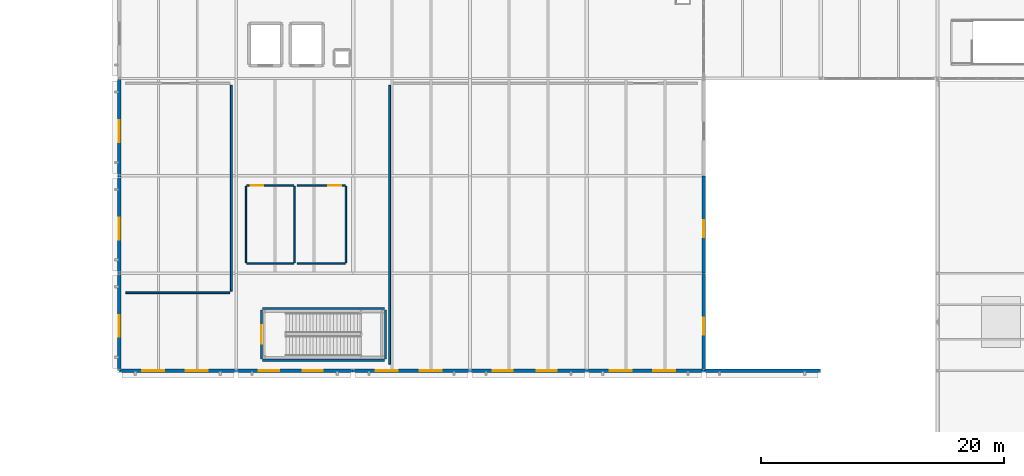
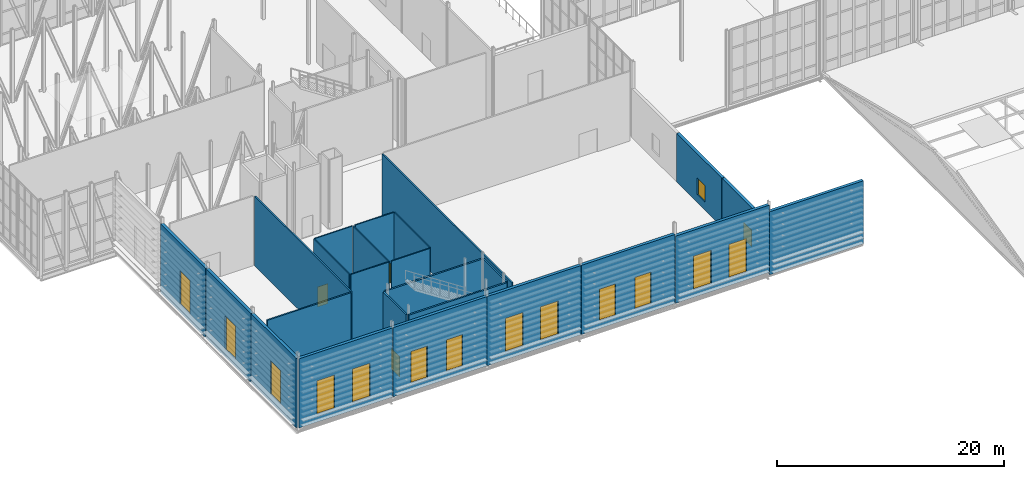
# One storey, part 64 of 73: 25 walls, 15 windows, 3 doors, 18 openings.
"""IFC4 building model written with IfcOpenShell, lengths in metres."""

import ifcopenshell
import ifcopenshell.guid

model = None  # the IFC model being written
_history = None  # IfcOwnerHistory: only IFC2X3 demands one
_inside = {}  # id of a spatial element -> (the spatial element, [elements in it])
_under = {}  # id of a project, library or spatial element -> (it, [spatial elements below it])
_declared = {}  # id of a project -> (the project, [libraries it declares])
_typed = {}  # id of a type object -> (the type object, [elements of that type])
_made_of = {}  # id of a material, layer set ... -> (it, [elements and type objects made of it])


def new_model(schema):
    """Start an empty IFC model of exactly this schema.

    Asked for "IFC4X3", IfcOpenShell would pick the latest addendum, in which some entities
    have other attributes; the version numbers below select the first issue.
    IFC2X3 requires an IfcOwnerHistory on every rooted entity: one is made here for all.
    """
    global model, _history
    if schema == "IFC4X3":
        model = ifcopenshell.file(schema_version=(4, 3, 0, 0))
    else:
        model = ifcopenshell.file(schema=schema)
    _inside.clear()
    _under.clear()
    _declared.clear()
    _typed.clear()
    _made_of.clear()
    _history = None
    if model.schema == "IFC2X3":
        org = make("IfcOrganization", Name="unknown")
        user = make(
            "IfcPersonAndOrganization",
            ThePerson=make("IfcPerson", FamilyName="unknown"),
            TheOrganization=org,
        )
        app = make(
            "IfcApplication",
            ApplicationDeveloper=org,
            Version="unknown",
            ApplicationFullName="unknown",
            ApplicationIdentifier="unknown",
        )
        _history = make(
            "IfcOwnerHistory",
            OwningUser=user,
            OwningApplication=app,
            ChangeAction="ADDED",
            CreationDate=0,
        )
    return model


def make(cls, **values):
    """One entity of the class cls with the attributes given. An attribute that is None is left unset."""
    return model.create_entity(
        cls, **{name: value for name, value in values.items() if value is not None}
    )


def rooted(cls, **values):
    """An entity with a GlobalId (a new one), such as an element, a storey or a relation."""
    return make(cls, GlobalId=ifcopenshell.guid.new(), OwnerHistory=_history, **values)


def si_unit(unit_type, name, prefix=None):
    """IfcSIUnit, for example si_unit("LENGTHUNIT", "METRE", prefix="MILLI")."""
    return make("IfcSIUnit", UnitType=unit_type, Prefix=prefix, Name=name)


def assignment(units):
    """IfcUnitAssignment: the units of a project."""
    return None if units is None else make("IfcUnitAssignment", Units=units)


def point(xyz):
    """IfcCartesianPoint."""
    return None if xyz is None else make("IfcCartesianPoint", Coordinates=xyz)


def direction(xyz):
    """IfcDirection."""
    return None if xyz is None else make("IfcDirection", DirectionRatios=xyz)


def frame(location, z_axis=None, x_axis=None):
    """IfcAxis2Placement3D, a coordinate frame: its origin and axes. An axis left out is left unset."""
    return make(
        "IfcAxis2Placement3D",
        Location=point(location),
        Axis=direction(z_axis),
        RefDirection=direction(x_axis),
    )


def frame_2d(location, x_axis=None):
    """IfcAxis2Placement2D, a coordinate frame in the plane: its origin and x axis."""
    return make(
        "IfcAxis2Placement2D", Location=point(location), RefDirection=direction(x_axis)
    )


def origin():
    """The frame at (0, 0, 0) with its axes left unset."""
    return frame((0.0, 0.0, 0.0))


def place(relative_to, where):
    """IfcLocalPlacement: puts the frame where relative to a parent placement (None: the world)."""
    return make(
        "IfcLocalPlacement", PlacementRelTo=relative_to, RelativePlacement=where
    )


def context(
    kind, dimensions, precision=None, world=None, true_north=None, identifier=None
):
    """IfcGeometricRepresentationContext, for example the 3D "Model" context."""
    return make(
        "IfcGeometricRepresentationContext",
        ContextIdentifier=identifier,
        ContextType=kind,
        CoordinateSpaceDimension=dimensions,
        Precision=precision,
        WorldCoordinateSystem=world,
        TrueNorth=true_north,
    )


def subcontext(parent, identifier, kind, view, scale=None):
    """IfcGeometricRepresentationSubContext, for example "Body" below "Model"."""
    return make(
        "IfcGeometricRepresentationSubContext",
        ContextIdentifier=identifier,
        ContextType=kind,
        ParentContext=parent,
        TargetScale=scale,
        TargetView=view,
    )


def project(units=None, contexts=None):
    """IfcProject with its units and contexts."""
    return rooted(
        "IfcProject",
        Name="project",
        RepresentationContexts=contexts,
        UnitsInContext=assignment(units),
    )


def spatial(cls, under=None, at=None, **own):
    """A site, building, storey or space (cls), placed at a placement, below another one or the project."""
    s = rooted(cls, ObjectPlacement=at, **own)
    if under is not None:
        _under.setdefault(under.id(), (under, []))[1].append(s)
    return s


def profile(cls, at=None, kind="AREA", **sizes):
    """A parametric profile (cls). Its sizes go by their IFC names, for example OverallWidth=200.0."""
    return make(cls, ProfileType=kind, Position=at, **sizes)


def rectangle(**sizes):
    """IfcRectangleProfileDef."""
    return profile("IfcRectangleProfileDef", **sizes)


def extrude(swept, where, along, depth):
    """IfcExtrudedAreaSolid: the profile swept, set in the frame where, extruded along a direction by depth."""
    return make(
        "IfcExtrudedAreaSolid",
        SweptArea=swept,
        Position=where,
        ExtrudedDirection=direction(along),
        Depth=depth,
    )


def shape(context_of_items, identifier, shape_type, items):
    """IfcShapeRepresentation: the items that make up one representation, for example the "Body"."""
    return make(
        "IfcShapeRepresentation",
        ContextOfItems=context_of_items,
        RepresentationIdentifier=identifier,
        RepresentationType=shape_type,
        Items=items,
    )


def material(Name=None, Category=None):
    """IfcMaterial."""
    return make("IfcMaterial", Name=Name, Category=Category)


def layer(
    of_material, thickness, ventilated=None, Name=None, Category=None, Priority=None
):
    """IfcMaterialLayer: one layer of a wall or slab, of a material (None: an air gap)."""
    return make(
        "IfcMaterialLayer",
        Material=of_material,
        LayerThickness=thickness,
        IsVentilated=ventilated,
        Name=Name,
        Category=Category,
        Priority=Priority,
    )


def layer_set(layers, Name=None):
    """IfcMaterialLayerSet."""
    return make("IfcMaterialLayerSet", MaterialLayers=layers, LayerSetName=Name)


def made_of(thing, what):
    """Note that an element or type object is made of a material, layer set ...; save() writes the relation."""
    if what is not None:
        _made_of.setdefault(what.id(), (what, []))[1].append(thing)
    return thing


def type_object(cls, material=None, **own):
    """A type object (cls), such as IfcWallType, which elements share."""
    return made_of(rooted(cls, **own), material)


def element(
    cls,
    number,
    at=None,
    inside=None,
    cuts=None,
    type_object=None,
    material=None,
    context=None,
    identifier="Body",
    shape_type=None,
    held_by="IfcProductDefinitionShape",
    body=None,
    shapes=None,
    **own,
):
    """One element of the class cls, such as IfcWall. Its Tag is "e" and its number.

    at: its placement. inside: the storey or other place that contains it. cuts: it is an
    opening in that element (IfcRelVoidsElement). A single representation is given by context,
    identifier, shape_type and body (its items); several are given by shapes. held_by: the class
    of the entity that holds the representations. save() writes the other relations.
    """
    e = rooted(cls, Tag="e%d" % number, ObjectPlacement=at, **own)
    if body is not None:
        shapes = [shape(context, identifier, shape_type, body)]
    if shapes is not None:
        e.Representation = make(held_by, Representations=shapes)
    if inside is not None:
        _inside.setdefault(inside.id(), (inside, []))[1].append(e)
    if cuts is not None:
        rooted(
            "IfcRelVoidsElement", RelatingBuildingElement=cuts, RelatedOpeningElement=e
        )
    if type_object is not None:
        _typed.setdefault(type_object.id(), (type_object, []))[1].append(e)
    return made_of(e, material)


def fill(opening, filler):
    """IfcRelFillsElement: the door or window that sits in an opening."""
    return rooted(
        "IfcRelFillsElement",
        RelatingOpeningElement=opening,
        RelatedBuildingElement=filler,
    )


def aggregate(whole, parts):
    """IfcRelAggregates: a whole, such as a stair, and the parts it consists of."""
    return rooted("IfcRelAggregates", RelatingObject=whole, RelatedObjects=parts)


def save(model, path):
    """Write the relations noted so far, then the file.

    IfcRelAggregates (storeys below a building ...), IfcRelContainedInSpatialStructure (elements
    in a storey), IfcRelDefinesByType, IfcRelAssociatesMaterial and IfcRelDeclares: one each for
    every whole, place, type object, material and project.
    """
    for whole, parts in _under.values():
        aggregate(whole, parts)
    for where, things in _inside.values():
        rooted(
            "IfcRelContainedInSpatialStructure",
            RelatedElements=things,
            RelatingStructure=where,
        )
    for kind, things in _typed.values():
        rooted("IfcRelDefinesByType", RelatedObjects=things, RelatingType=kind)
    for what, things in _made_of.values():
        rooted("IfcRelAssociatesMaterial", RelatedObjects=things, RelatingMaterial=what)
    for by, libraries in _declared.values():
        rooted("IfcRelDeclares", RelatingContext=by, RelatedDefinitions=libraries)
    model.write(path)


model = new_model("IFC4")

# Units and contexts
model_context = context("Model", 3, precision=1e-05, world=origin(), true_north=direction((0.0, 1.0)))
body_context = subcontext(model_context, "Body", "Model", "MODEL_VIEW")
ifc_project = project(units=[si_unit("LENGTHUNIT", "METRE"), si_unit("AREAUNIT", "SQUARE_METRE"), si_unit("VOLUMEUNIT", "CUBIC_METRE"), si_unit("PLANEANGLEUNIT", "RADIAN"), si_unit("MASSUNIT", "GRAM", prefix="KILO")], contexts=[model_context])

# Site, building, storey
site_placement = place(None, origin())
site = spatial("IfcSite", under=ifc_project, at=site_placement, CompositionType="ELEMENT")
building_placement = place(site_placement, origin())
building = spatial("IfcBuilding", under=site, at=building_placement, Name="Alderhovde Museum", CompositionType="ELEMENT")
storey_placement = place(building_placement, frame((0.0, 0.0, 17.39990234375)))
storey = spatial("IfcBuildingStorey", under=building, at=storey_placement, Name="L04", CompositionType="ELEMENT", Elevation=17.39990234375)

# Wall, openings, windows
ifc_material_1 = material(Name="Insulated Zinc-Clad Backing Wall")
ifc_layer_1 = layer(ifc_material_1, 0.300048828125)
ifc_layer_set_1 = layer_set([ifc_layer_1], Name="Insulated Zinc-Clad Backing Wall")
wall_type_1 = type_object("IfcWallType", Name="EW-ZINC-300", PredefinedType="SOLIDWALL", material=ifc_layer_set_1)
wall_1_placement = place(storey_placement, frame((9.6201171875, 48.0, 0.0), z_axis=(0.0, 0.0, 1.0), x_axis=(1.0, 0.0, 0.0)))
wall_1 = element("IfcWall", 1, at=wall_1_placement, inside=storey, type_object=wall_type_1, Name="L04 Folded Wing South Wall 51", PredefinedType="SOLIDWALL", context=body_context, shape_type="SweptSolid", body=[
    extrude(rectangle(XDim=9.559814453125, YDim=0.300048828125, at=frame_2d((4.77978515625, 0.0))), origin(), (0.0, 0.0, 1.0), 7.460205078125),
])
opening_1_placement = place(wall_1_placement, frame((1.85009765625, 0.0, 0.85009765625)))
opening_1 = element("IfcOpeningElement", 2, at=opening_1_placement, cuts=wall_1, Name="Opening W22", PredefinedType="OPENING", context=body_context, shape_type="SweptSolid", body=[
    extrude(rectangle(XDim=1.800048828125, YDim=3.60009765625, at=frame_2d((0.89990234375, 1.800048828125))), frame((0.0, 0.159912109375, 0.0), z_axis=(0.0, -1.0, 0.0), x_axis=(1.0, 0.0, 0.0)), (0.0, 0.0, 1.0), 0.320068359375),
])
opening_2_placement = place(wall_1_placement, frame((5.449951171875, 0.0, 0.85009765625)))
opening_2 = element("IfcOpeningElement", 3, at=opening_2_placement, cuts=wall_1, Name="Opening W22", PredefinedType="OPENING", context=body_context, shape_type="SweptSolid", body=[
    extrude(rectangle(XDim=1.800048828125, YDim=3.60009765625, at=frame_2d((0.89990234375, 1.800048828125))), frame((0.0, 0.159912109375, 0.0), z_axis=(0.0, -1.0, 0.0), x_axis=(1.0, 0.0, 0.0)), (0.0, 0.0, 1.0), 0.320068359375),
])
ifc_material_2 = material(Name="Triple-Glazed Low-E Bronze-Anodised Aluminium", Category="aluminium")
window_type_1 = type_object("IfcWindowType", Name="WIN-GAL-1800x3600", PartitioningType="DOUBLE_PANEL_VERTICAL", PredefinedType="WINDOW", material=ifc_material_2)
window_1_placement = place(opening_1_placement, origin())
window_1 = element("IfcWindow", 4, at=window_1_placement, inside=storey, type_object=window_type_1, Name="L04 Facade Window 37", OverallHeight=3.60009765625, OverallWidth=1.800048828125, PartitioningType="SINGLE_PANEL", PredefinedType="WINDOW", context=body_context, shape_type="SweptSolid", body=[
    extrude(rectangle(XDim=1.800048828125, YDim=3.60009765625, at=frame_2d((0.89990234375, 1.800048828125))), frame((0.0, 0.030029296875, 0.0), z_axis=(0.0, -1.0, 0.0), x_axis=(1.0, 0.0, 0.0)), (0.0, 0.0, 1.0), 0.06005859375),
])
fill(opening_1, window_1)
window_2_placement = place(opening_2_placement, origin())
window_2 = element("IfcWindow", 5, at=window_2_placement, inside=storey, type_object=window_type_1, Name="L04 Facade Window 38", OverallHeight=3.60009765625, OverallWidth=1.800048828125, PartitioningType="SINGLE_PANEL", PredefinedType="WINDOW", context=body_context, shape_type="SweptSolid", body=[
    extrude(rectangle(XDim=1.800048828125, YDim=3.60009765625, at=frame_2d((0.89990234375, 1.800048828125))), frame((0.0, 0.030029296875, 0.0), z_axis=(0.0, -1.0, 0.0), x_axis=(1.0, 0.0, 0.0)), (0.0, 0.0, 1.0), 0.06005859375),
])
fill(opening_2, window_2)

wall_2_placement = place(storey_placement, frame((19.219970703125, 48.0, 0.0), z_axis=(0.0, 0.0, 1.0), x_axis=(1.0, 0.0, 0.0)))
wall_2 = element("IfcWall", 6, at=wall_2_placement, inside=storey, type_object=wall_type_1, Name="L04 Folded Wing South Wall 52", PredefinedType="SOLIDWALL", context=body_context, shape_type="SweptSolid", body=[
    extrude(rectangle(XDim=9.56005859375, YDim=0.300048828125, at=frame_2d((4.780029296875, 0.0))), origin(), (0.0, 0.0, 1.0), 7.460205078125),
])
opening_3_placement = place(wall_2_placement, frame((1.85009765625, 0.0, 0.85009765625)))
opening_3 = element("IfcOpeningElement", 7, at=opening_3_placement, cuts=wall_2, Name="Opening W23", PredefinedType="OPENING", context=body_context, shape_type="SweptSolid", body=[
    extrude(rectangle(XDim=1.64990234375, YDim=3.39990234375, at=frame_2d((0.824951171875, 1.699951171875))), frame((0.0, 0.159912109375, 0.0), z_axis=(0.0, -1.0, 0.0), x_axis=(1.0, 0.0, 0.0)), (0.0, 0.0, 1.0), 0.320068359375),
])
opening_4_placement = place(wall_2_placement, frame((5.449951171875, 0.0, 0.85009765625)))
opening_4 = element("IfcOpeningElement", 8, at=opening_4_placement, cuts=wall_2, Name="Opening W23", PredefinedType="OPENING", context=body_context, shape_type="SweptSolid", body=[
    extrude(rectangle(XDim=1.64990234375, YDim=3.39990234375, at=frame_2d((0.824951171875, 1.699951171875))), frame((0.0, 0.159912109375, 0.0), z_axis=(0.0, -1.0, 0.0), x_axis=(1.0, 0.0, 0.0)), (0.0, 0.0, 1.0), 0.320068359375),
])
ifc_material_3 = material(Name="Triple-Glazed Low-E Bronze-Anodised Aluminium", Category="aluminium")
window_type_2 = type_object("IfcWindowType", Name="WIN-GAL-1650x3400", PartitioningType="DOUBLE_PANEL_VERTICAL", PredefinedType="WINDOW", material=ifc_material_3)
window_3_placement = place(opening_3_placement, origin())
window_3 = element("IfcWindow", 9, at=window_3_placement, inside=storey, type_object=window_type_2, Name="L04 Facade Window 39", OverallHeight=3.39990234375, OverallWidth=1.64990234375, PartitioningType="SINGLE_PANEL", PredefinedType="WINDOW", context=body_context, shape_type="SweptSolid", body=[
    extrude(rectangle(XDim=1.64990234375, YDim=3.39990234375, at=frame_2d((0.824951171875, 1.699951171875))), frame((0.0, 0.030029296875, 0.0), z_axis=(0.0, -1.0, 0.0), x_axis=(1.0, 0.0, 0.0)), (0.0, 0.0, 1.0), 0.06005859375),
])
fill(opening_3, window_3)
window_4_placement = place(opening_4_placement, origin())
window_4 = element("IfcWindow", 10, at=window_4_placement, inside=storey, type_object=window_type_2, Name="L04 Facade Window 40", OverallHeight=3.39990234375, OverallWidth=1.64990234375, PartitioningType="SINGLE_PANEL", PredefinedType="WINDOW", context=body_context, shape_type="SweptSolid", body=[
    extrude(rectangle(XDim=1.64990234375, YDim=3.39990234375, at=frame_2d((0.824951171875, 1.699951171875))), frame((0.0, 0.030029296875, 0.0), z_axis=(0.0, -1.0, 0.0), x_axis=(1.0, 0.0, 0.0)), (0.0, 0.0, 1.0), 0.06005859375),
])
fill(opening_4, window_4)

wall_3_placement = place(storey_placement, frame((28.820068359375, 48.0, 0.0), z_axis=(0.0, 0.0, 1.0), x_axis=(1.0, 0.0, 0.0)))
wall_3 = element("IfcWall", 11, at=wall_3_placement, inside=storey, type_object=wall_type_1, Name="L04 Folded Wing South Wall 53", PredefinedType="SOLIDWALL", context=body_context, shape_type="SweptSolid", body=[
    extrude(rectangle(XDim=9.559814453125, YDim=0.300048828125, at=frame_2d((4.77978515625, 0.0))), origin(), (0.0, 0.0, 1.0), 7.460205078125),
])
opening_5_placement = place(wall_3_placement, frame((1.85009765625, 0.0, 0.85009765625)))
opening_5 = element("IfcOpeningElement", 12, at=opening_5_placement, cuts=wall_3, Name="Opening W22", PredefinedType="OPENING", context=body_context, shape_type="SweptSolid", body=[
    extrude(rectangle(XDim=1.800048828125, YDim=3.60009765625, at=frame_2d((0.89990234375, 1.800048828125))), frame((0.0, 0.159912109375, 0.0), z_axis=(0.0, -1.0, 0.0), x_axis=(1.0, 0.0, 0.0)), (0.0, 0.0, 1.0), 0.320068359375),
])
opening_6_placement = place(wall_3_placement, frame((5.449951171875, 0.0, 0.85009765625)))
opening_6 = element("IfcOpeningElement", 13, at=opening_6_placement, cuts=wall_3, Name="Opening W22", PredefinedType="OPENING", context=body_context, shape_type="SweptSolid", body=[
    extrude(rectangle(XDim=1.800048828125, YDim=3.60009765625, at=frame_2d((0.89990234375, 1.800048828125))), frame((0.0, 0.159912109375, 0.0), z_axis=(0.0, -1.0, 0.0), x_axis=(1.0, 0.0, 0.0)), (0.0, 0.0, 1.0), 0.320068359375),
])
window_5_placement = place(opening_5_placement, origin())
window_5 = element("IfcWindow", 14, at=window_5_placement, inside=storey, type_object=window_type_1, Name="L04 Facade Window 41", OverallHeight=3.60009765625, OverallWidth=1.800048828125, PartitioningType="SINGLE_PANEL", PredefinedType="WINDOW", context=body_context, shape_type="SweptSolid", body=[
    extrude(rectangle(XDim=1.800048828125, YDim=3.60009765625, at=frame_2d((0.89990234375, 1.800048828125))), frame((0.0, 0.030029296875, 0.0), z_axis=(0.0, -1.0, 0.0), x_axis=(1.0, 0.0, 0.0)), (0.0, 0.0, 1.0), 0.06005859375),
])
fill(opening_5, window_5)
window_6_placement = place(opening_6_placement, origin())
window_6 = element("IfcWindow", 15, at=window_6_placement, inside=storey, type_object=window_type_1, Name="L04 Facade Window 42", OverallHeight=3.60009765625, OverallWidth=1.800048828125, PartitioningType="SINGLE_PANEL", PredefinedType="WINDOW", context=body_context, shape_type="SweptSolid", body=[
    extrude(rectangle(XDim=1.800048828125, YDim=3.60009765625, at=frame_2d((0.89990234375, 1.800048828125))), frame((0.0, 0.030029296875, 0.0), z_axis=(0.0, -1.0, 0.0), x_axis=(1.0, 0.0, 0.0)), (0.0, 0.0, 1.0), 0.06005859375),
])
fill(opening_6, window_6)

wall_4_placement = place(storey_placement, frame((38.419921875, 48.0, 0.0), z_axis=(0.0, 0.0, 1.0), x_axis=(1.0, 0.0, 0.0)))
wall_4 = element("IfcWall", 16, at=wall_4_placement, inside=storey, type_object=wall_type_1, Name="L04 Folded Wing South Wall 54", PredefinedType="SOLIDWALL", context=body_context, shape_type="SweptSolid", body=[
    extrude(rectangle(XDim=9.56005859375, YDim=0.300048828125, at=frame_2d((4.780029296875, 0.0))), origin(), (0.0, 0.0, 1.0), 7.460205078125),
])
opening_7_placement = place(wall_4_placement, frame((1.85009765625, 0.0, 0.85009765625)))
opening_7 = element("IfcOpeningElement", 17, at=opening_7_placement, cuts=wall_4, Name="Opening W23", PredefinedType="OPENING", context=body_context, shape_type="SweptSolid", body=[
    extrude(rectangle(XDim=1.64990234375, YDim=3.39990234375, at=frame_2d((0.824951171875, 1.699951171875))), frame((0.0, 0.159912109375, 0.0), z_axis=(0.0, -1.0, 0.0), x_axis=(1.0, 0.0, 0.0)), (0.0, 0.0, 1.0), 0.320068359375),
])
opening_8_placement = place(wall_4_placement, frame((5.449951171875, 0.0, 0.85009765625)))
opening_8 = element("IfcOpeningElement", 18, at=opening_8_placement, cuts=wall_4, Name="Opening W23", PredefinedType="OPENING", context=body_context, shape_type="SweptSolid", body=[
    extrude(rectangle(XDim=1.64990234375, YDim=3.39990234375, at=frame_2d((0.824951171875, 1.699951171875))), frame((0.0, 0.159912109375, 0.0), z_axis=(0.0, -1.0, 0.0), x_axis=(1.0, 0.0, 0.0)), (0.0, 0.0, 1.0), 0.320068359375),
])
window_7_placement = place(opening_7_placement, origin())
window_7 = element("IfcWindow", 19, at=window_7_placement, inside=storey, type_object=window_type_2, Name="L04 Facade Window 43", OverallHeight=3.39990234375, OverallWidth=1.64990234375, PartitioningType="SINGLE_PANEL", PredefinedType="WINDOW", context=body_context, shape_type="SweptSolid", body=[
    extrude(rectangle(XDim=1.64990234375, YDim=3.39990234375, at=frame_2d((0.824951171875, 1.699951171875))), frame((0.0, 0.030029296875, 0.0), z_axis=(0.0, -1.0, 0.0), x_axis=(1.0, 0.0, 0.0)), (0.0, 0.0, 1.0), 0.06005859375),
])
fill(opening_7, window_7)
window_8_placement = place(opening_8_placement, origin())
window_8 = element("IfcWindow", 20, at=window_8_placement, inside=storey, type_object=window_type_2, Name="L04 Facade Window 44", OverallHeight=3.39990234375, OverallWidth=1.64990234375, PartitioningType="SINGLE_PANEL", PredefinedType="WINDOW", context=body_context, shape_type="SweptSolid", body=[
    extrude(rectangle(XDim=1.64990234375, YDim=3.39990234375, at=frame_2d((0.824951171875, 1.699951171875))), frame((0.0, 0.030029296875, 0.0), z_axis=(0.0, -1.0, 0.0), x_axis=(1.0, 0.0, 0.0)), (0.0, 0.0, 1.0), 0.06005859375),
])
fill(opening_8, window_8)

wall_5_placement = place(storey_placement, frame((48.02001953125, 48.0, 0.0), z_axis=(0.0, 0.0, 1.0), x_axis=(1.0, 0.0, 0.0)))
wall_5 = element("IfcWall", 21, at=wall_5_placement, inside=storey, type_object=wall_type_1, Name="L04 Folded Wing South Wall 55", PredefinedType="SOLIDWALL", context=body_context, shape_type="SweptSolid", body=[
    extrude(rectangle(XDim=9.56005859375, YDim=0.300048828125, at=frame_2d((4.780029296875, 0.0))), origin(), (0.0, 0.0, 1.0), 7.25),
])
opening_9_placement = place(wall_5_placement, frame((1.85009765625, 0.0, 0.85009765625)))
opening_9 = element("IfcOpeningElement", 22, at=opening_9_placement, cuts=wall_5, Name="Opening W22", PredefinedType="OPENING", context=body_context, shape_type="SweptSolid", body=[
    extrude(rectangle(XDim=1.800048828125, YDim=3.60009765625, at=frame_2d((0.89990234375, 1.800048828125))), frame((0.0, 0.159912109375, 0.0), z_axis=(0.0, -1.0, 0.0), x_axis=(1.0, 0.0, 0.0)), (0.0, 0.0, 1.0), 0.320068359375),
])
opening_10_placement = place(wall_5_placement, frame((5.449951171875, 0.0, 0.85009765625)))
opening_10 = element("IfcOpeningElement", 23, at=opening_10_placement, cuts=wall_5, Name="Opening W22", PredefinedType="OPENING", context=body_context, shape_type="SweptSolid", body=[
    extrude(rectangle(XDim=1.800048828125, YDim=3.60009765625, at=frame_2d((0.89990234375, 1.800048828125))), frame((0.0, 0.159912109375, 0.0), z_axis=(0.0, -1.0, 0.0), x_axis=(1.0, 0.0, 0.0)), (0.0, 0.0, 1.0), 0.320068359375),
])
window_9_placement = place(opening_9_placement, origin())
window_9 = element("IfcWindow", 24, at=window_9_placement, inside=storey, type_object=window_type_1, Name="L04 Facade Window 45", OverallHeight=3.60009765625, OverallWidth=1.800048828125, PartitioningType="SINGLE_PANEL", PredefinedType="WINDOW", context=body_context, shape_type="SweptSolid", body=[
    extrude(rectangle(XDim=1.800048828125, YDim=3.60009765625, at=frame_2d((0.89990234375, 1.800048828125))), frame((0.0, 0.030029296875, 0.0), z_axis=(0.0, -1.0, 0.0), x_axis=(1.0, 0.0, 0.0)), (0.0, 0.0, 1.0), 0.06005859375),
])
fill(opening_9, window_9)
window_10_placement = place(opening_10_placement, origin())
window_10 = element("IfcWindow", 25, at=window_10_placement, inside=storey, type_object=window_type_1, Name="L04 Facade Window 46", OverallHeight=3.60009765625, OverallWidth=1.800048828125, PartitioningType="SINGLE_PANEL", PredefinedType="WINDOW", context=body_context, shape_type="SweptSolid", body=[
    extrude(rectangle(XDim=1.800048828125, YDim=3.60009765625, at=frame_2d((0.89990234375, 1.800048828125))), frame((0.0, 0.030029296875, 0.0), z_axis=(0.0, -1.0, 0.0), x_axis=(1.0, 0.0, 0.0)), (0.0, 0.0, 1.0), 0.06005859375),
])
fill(opening_10, window_10)

# Wall, opening, window
wall_6_placement = place(storey_placement, frame((9.60009765625, 48.02001953125, 0.0), z_axis=(0.0, 0.0, 1.0), x_axis=(0.0, 1.0, 0.0)))
wall_6 = element("IfcWall", 26, at=wall_6_placement, inside=storey, type_object=wall_type_1, Name="L04 Raised West Prow Wall 57", PredefinedType="SOLIDWALL", context=body_context, shape_type="SweptSolid", body=[
    extrude(rectangle(XDim=7.9599609375, YDim=0.300048828125, at=frame_2d((3.97998046875, 0.0))), origin(), (0.0, 0.0, 1.0), 7.460205078125),
])
opening_11_placement = place(wall_6_placement, frame((2.75, 0.0, 0.85009765625)))
opening_11 = element("IfcOpeningElement", 27, at=opening_11_placement, cuts=wall_6, Name="Opening W22", PredefinedType="OPENING", context=body_context, shape_type="SweptSolid", body=[
    extrude(rectangle(XDim=1.800048828125, YDim=3.60009765625, at=frame_2d((0.89990234375, 1.800048828125))), frame((0.0, 0.159912109375, 0.0), z_axis=(0.0, -1.0, 0.0), x_axis=(1.0, 0.0, 0.0)), (0.0, 0.0, 1.0), 0.320068359375),
])
window_11_placement = place(opening_11_placement, origin())
window_11 = element("IfcWindow", 28, at=window_11_placement, inside=storey, type_object=window_type_1, Name="L04 Facade Window 48", OverallHeight=3.60009765625, OverallWidth=1.800048828125, PartitioningType="SINGLE_PANEL", PredefinedType="WINDOW", context=body_context, shape_type="SweptSolid", body=[
    extrude(rectangle(XDim=1.800048828125, YDim=3.60009765625, at=frame_2d((0.89990234375, 1.800048828125))), frame((0.0, 0.030029296875, 0.0), z_axis=(0.0, -1.0, 0.0), x_axis=(1.0, 0.0, 0.0)), (0.0, 0.0, 1.0), 0.06005859375),
])
fill(opening_11, window_11)

wall_7_placement = place(storey_placement, frame((9.60009765625, 56.02001953125, 0.0), z_axis=(0.0, 0.0, 1.0), x_axis=(0.0, 1.0, 0.0)))
wall_7 = element("IfcWall", 29, at=wall_7_placement, inside=storey, type_object=wall_type_1, Name="L04 Raised West Prow Wall 58", PredefinedType="SOLIDWALL", context=body_context, shape_type="SweptSolid", body=[
    extrude(rectangle(XDim=7.9599609375, YDim=0.300048828125, at=frame_2d((3.97998046875, 0.0))), origin(), (0.0, 0.0, 1.0), 7.460205078125),
])
opening_12_placement = place(wall_7_placement, frame((2.75, 0.0, 0.85009765625)))
opening_12 = element("IfcOpeningElement", 30, at=opening_12_placement, cuts=wall_7, Name="Opening W22", PredefinedType="OPENING", context=body_context, shape_type="SweptSolid", body=[
    extrude(rectangle(XDim=1.800048828125, YDim=3.60009765625, at=frame_2d((0.89990234375, 1.800048828125))), frame((0.0, 0.159912109375, 0.0), z_axis=(0.0, -1.0, 0.0), x_axis=(1.0, 0.0, 0.0)), (0.0, 0.0, 1.0), 0.320068359375),
])
window_12_placement = place(opening_12_placement, origin())
window_12 = element("IfcWindow", 31, at=window_12_placement, inside=storey, type_object=window_type_1, Name="L04 Facade Window 49", OverallHeight=3.60009765625, OverallWidth=1.800048828125, PartitioningType="SINGLE_PANEL", PredefinedType="WINDOW", context=body_context, shape_type="SweptSolid", body=[
    extrude(rectangle(XDim=1.800048828125, YDim=3.60009765625, at=frame_2d((0.89990234375, 1.800048828125))), frame((0.0, 0.030029296875, 0.0), z_axis=(0.0, -1.0, 0.0), x_axis=(1.0, 0.0, 0.0)), (0.0, 0.0, 1.0), 0.06005859375),
])
fill(opening_12, window_12)

wall_8_placement = place(storey_placement, frame((9.60009765625, 64.02001953125, 0.0), z_axis=(0.0, 0.0, 1.0), x_axis=(0.0, 1.0, 0.0)))
wall_8 = element("IfcWall", 32, at=wall_8_placement, inside=storey, type_object=wall_type_1, Name="L04 Raised West Prow Wall 59", PredefinedType="SOLIDWALL", context=body_context, shape_type="SweptSolid", body=[
    extrude(rectangle(XDim=7.9599609375, YDim=0.300048828125, at=frame_2d((3.97998046875, 0.0))), origin(), (0.0, 0.0, 1.0), 7.460205078125),
])
opening_13_placement = place(wall_8_placement, frame((2.75, 0.0, 0.85009765625)))
opening_13 = element("IfcOpeningElement", 33, at=opening_13_placement, cuts=wall_8, Name="Opening W22", PredefinedType="OPENING", context=body_context, shape_type="SweptSolid", body=[
    extrude(rectangle(XDim=1.800048828125, YDim=3.60009765625, at=frame_2d((0.89990234375, 1.800048828125))), frame((0.0, 0.159912109375, 0.0), z_axis=(0.0, -1.0, 0.0), x_axis=(1.0, 0.0, 0.0)), (0.0, 0.0, 1.0), 0.320068359375),
])
window_13_placement = place(opening_13_placement, origin())
window_13 = element("IfcWindow", 34, at=window_13_placement, inside=storey, type_object=window_type_1, Name="L04 Facade Window 50", OverallHeight=3.60009765625, OverallWidth=1.800048828125, PartitioningType="SINGLE_PANEL", PredefinedType="WINDOW", context=body_context, shape_type="SweptSolid", body=[
    extrude(rectangle(XDim=1.800048828125, YDim=3.60009765625, at=frame_2d((0.89990234375, 1.800048828125))), frame((0.0, 0.030029296875, 0.0), z_axis=(0.0, -1.0, 0.0), x_axis=(1.0, 0.0, 0.0)), (0.0, 0.0, 1.0), 0.06005859375),
])
fill(opening_13, window_13)

wall_9_placement = place(storey_placement, frame((57.60009765625, 48.02001953125, 0.0), z_axis=(0.0, 0.0, 1.0), x_axis=(0.0, 1.0, 0.0)))
wall_9 = element("IfcWall", 35, at=wall_9_placement, inside=storey, type_object=wall_type_1, Name="L04 Folded Wing East Step Wall 61", PredefinedType="SOLIDWALL", context=body_context, shape_type="SweptSolid", body=[
    extrude(rectangle(XDim=7.9599609375, YDim=0.300048828125, at=frame_2d((3.97998046875, 0.0))), origin(), (0.0, 0.0, 1.0), 5.25),
])
opening_14_placement = place(wall_9_placement, frame((2.949951171875, 0.0, 0.85009765625)))
opening_14 = element("IfcOpeningElement", 36, at=opening_14_placement, cuts=wall_9, Name="Opening W11", PredefinedType="OPENING", context=body_context, shape_type="SweptSolid", body=[
    extrude(rectangle(XDim=1.39990234375, YDim=1.800048828125, at=frame_2d((0.699951171875, 0.89990234375))), frame((0.0, 0.159912109375, 0.0), z_axis=(0.0, -1.0, 0.0), x_axis=(1.0, 0.0, 0.0)), (0.0, 0.0, 1.0), 0.320068359375),
])
ifc_material_4 = material(Name="Triple-Glazed Low-E Bronze-Anodised Aluminium", Category="aluminium")
window_type_3 = type_object("IfcWindowType", Name="WIN-ATT-1400x1800", PartitioningType="SINGLE_PANEL", PredefinedType="WINDOW", material=ifc_material_4)
window_14_placement = place(opening_14_placement, origin())
window_14 = element("IfcWindow", 37, at=window_14_placement, inside=storey, type_object=window_type_3, Name="L04 Facade Window 52", OverallHeight=1.800048828125, OverallWidth=1.39990234375, PartitioningType="SINGLE_PANEL", PredefinedType="WINDOW", context=body_context, shape_type="SweptSolid", body=[
    extrude(rectangle(XDim=1.39990234375, YDim=1.800048828125, at=frame_2d((0.699951171875, 0.89990234375))), frame((0.0, 0.030029296875, 0.0), z_axis=(0.0, -1.0, 0.0), x_axis=(1.0, 0.0, 0.0)), (0.0, 0.0, 1.0), 0.06005859375),
])
fill(opening_14, window_14)

wall_10_placement = place(storey_placement, frame((57.60009765625, 56.02001953125, 0.0), z_axis=(0.0, 0.0, 1.0), x_axis=(0.0, 1.0, 0.0)))
wall_10 = element("IfcWall", 38, at=wall_10_placement, inside=storey, type_object=wall_type_1, Name="L04 Folded Wing East Step Wall 62", PredefinedType="SOLIDWALL", context=body_context, shape_type="SweptSolid", body=[
    extrude(rectangle(XDim=7.9599609375, YDim=0.300048828125, at=frame_2d((3.97998046875, 0.0))), origin(), (0.0, 0.0, 1.0), 5.25),
])
opening_15_placement = place(wall_10_placement, frame((2.949951171875, 0.0, 0.85009765625)))
opening_15 = element("IfcOpeningElement", 39, at=opening_15_placement, cuts=wall_10, Name="Opening W11", PredefinedType="OPENING", context=body_context, shape_type="SweptSolid", body=[
    extrude(rectangle(XDim=1.39990234375, YDim=1.800048828125, at=frame_2d((0.699951171875, 0.89990234375))), frame((0.0, 0.159912109375, 0.0), z_axis=(0.0, -1.0, 0.0), x_axis=(1.0, 0.0, 0.0)), (0.0, 0.0, 1.0), 0.320068359375),
])
window_15_placement = place(opening_15_placement, origin())
window_15 = element("IfcWindow", 40, at=window_15_placement, inside=storey, type_object=window_type_3, Name="L04 Facade Window 53", OverallHeight=1.800048828125, OverallWidth=1.39990234375, PartitioningType="SINGLE_PANEL", PredefinedType="WINDOW", context=body_context, shape_type="SweptSolid", body=[
    extrude(rectangle(XDim=1.39990234375, YDim=1.800048828125, at=frame_2d((0.699951171875, 0.89990234375))), frame((0.0, 0.030029296875, 0.0), z_axis=(0.0, -1.0, 0.0), x_axis=(1.0, 0.0, 0.0)), (0.0, 0.0, 1.0), 0.06005859375),
])
fill(opening_15, window_15)

# Walls
wall_11_placement = place(storey_placement, frame((57.6201171875, 48.0, -0.27978515625), z_axis=(0.0, 0.0, 1.0), x_axis=(1.0, 0.0, 0.0)))
element("IfcWall", 41, at=wall_11_placement, inside=storey, type_object=wall_type_1, Name="L04 Folded-Wing Fascia Wall 79", PredefinedType="SOLIDWALL", context=body_context, shape_type="SweptSolid", body=[
    extrude(rectangle(XDim=9.559814453125, YDim=0.300048828125, at=frame_2d((4.77978515625, 0.0))), origin(), (0.0, 0.0, 1.0), 6.7978515625),
])
ifc_material_5 = material(Name="Plywood-Backed Gallery Display Partition", Category="wood")
ifc_layer_2 = layer(ifc_material_5, 0.14990234375)
ifc_layer_set_2 = layer_set([ifc_layer_2], Name="Plywood-Backed Gallery Display Partition")
wall_type_2 = type_object("IfcWallType", Name="IW-GAL-150", PredefinedType="PARTITIONING", material=ifc_layer_set_2)
wall_12_placement = place(storey_placement, frame((31.800048828125, 48.5400390625, 0.0), z_axis=(0.0, 0.0, 1.0), x_axis=(0.0, 1.0, 0.0)))
element("IfcWall", 42, at=wall_12_placement, inside=storey, type_object=wall_type_2, Name="L04 Double-Height Top-Lit Sculpture Gallery Partition Wall W", PredefinedType="PARTITIONING", context=body_context, shape_type="SweptSolid", body=[
    extrude(rectangle(XDim=22.919921875, YDim=0.14990234375, at=frame_2d((11.4599609375, 0.0))), origin(), (0.0, 0.0, 1.0), 7.5),
])
wall_13_placement = place(storey_placement, frame((10.139892578125, 54.39990234375, 0.0), z_axis=(0.0, 0.0, 1.0), x_axis=(1.0, 0.0, 0.0)))
element("IfcWall", 43, at=wall_13_placement, inside=storey, type_object=wall_type_2, Name="L04 West Sawtooth Painting Gallery Partition Wall S", PredefinedType="PARTITIONING", context=body_context, shape_type="SweptSolid", body=[
    extrude(rectangle(XDim=8.52001953125, YDim=0.14990234375, at=frame_2d((4.260009765625, 0.0))), origin(), (0.0, 0.0, 1.0), 7.5),
])
wall_14_placement = place(storey_placement, frame((18.800048828125, 54.5400390625, 0.0), z_axis=(0.0, 0.0, 1.0), x_axis=(0.0, 1.0, 0.0)))
element("IfcWall", 44, at=wall_14_placement, inside=storey, type_object=wall_type_2, Name="L04 West Sawtooth Painting Gallery Partition Wall E", PredefinedType="PARTITIONING", context=body_context, shape_type="SweptSolid", body=[
    extrude(rectangle(XDim=16.919921875, YDim=0.14990234375, at=frame_2d((8.4599609375, 0.0))), origin(), (0.0, 0.0, 1.0), 7.5),
])

# Wall, opening, door
ifc_material_6 = material(Name="Fire-Resisting Stair Lobby Wall")
ifc_layer_3 = layer(ifc_material_6, 0.169921875)
ifc_layer_set_3 = layer_set([ifc_layer_3], Name="Fire-Resisting Stair Lobby Wall")
wall_type_3 = type_object("IfcWallType", Name="IW-STAIR-170", PredefinedType="SOLIDWALL", material=ifc_layer_set_3)
wall_15_placement = place(storey_placement, frame((21.260009765625, 48.9599609375, 0.0), z_axis=(0.0, 0.0, 1.0), x_axis=(0.0, 1.0, 0.0)))
wall_15 = element("IfcWall", 45, at=wall_15_placement, inside=storey, type_object=wall_type_3, Name="L04 Escape Stair ST1 Fire Wall W", PredefinedType="SOLIDWALL", context=body_context, shape_type="SweptSolid", body=[
    extrude(rectangle(XDim=4.0400390625, YDim=0.169921875, at=frame_2d((2.02001953125, 0.0))), origin(), (0.0, 0.0, 1.0), 7.5),
])
opening_16_placement = place(wall_15_placement, frame((1.27001953125, 0.0, 0.0)))
opening_16 = element("IfcOpeningElement", 46, at=opening_16_placement, cuts=wall_15, Name="Opening FD-1", PredefinedType="OPENING", context=body_context, shape_type="SweptSolid", body=[
    extrude(rectangle(XDim=1.5, YDim=2.199951171875, at=frame_2d((0.75, 1.10009765625))), frame((0.0, 0.094970703125, 0.0), z_axis=(0.0, -1.0, 0.0), x_axis=(1.0, 0.0, 0.0)), (0.0, 0.0, 1.0), 0.18994140625),
])
ifc_material_7 = material(Name="Fire-Rated Steel Stair Escape Door (Steel/Oak)", Category="steel")
door_type_1 = type_object("IfcDoorType", Name="FD-STAIR-1500x2200", OperationType="NOTDEFINED", PredefinedType="DOOR", material=ifc_material_7)
door_1_placement = place(opening_16_placement, origin())
door_1 = element("IfcDoor", 47, at=door_1_placement, inside=storey, type_object=door_type_1, Name="L04 Escape Stair ST1 Fire Door", OperationType="SINGLE_SWING_RIGHT", OverallHeight=2.199951171875, OverallWidth=1.5, PredefinedType="DOOR", context=body_context, shape_type="SweptSolid", body=[
    extrude(rectangle(XDim=1.5, YDim=2.199951171875, at=frame_2d((0.75, 1.10009765625))), frame((0.0, 0.02490234375, 0.0), z_axis=(0.0, -1.0, 0.0), x_axis=(1.0, 0.0, 0.0)), (0.0, 0.0, 1.0), 0.050048828125),
])
fill(opening_16, door_1)

# Walls
wall_16_placement = place(storey_placement, frame((31.4599609375, 48.9599609375, 0.0), z_axis=(0.0, 0.0, 1.0), x_axis=(0.0, 1.0, 0.0)))
element("IfcWall", 48, at=wall_16_placement, inside=storey, type_object=wall_type_3, Name="L04 Escape Stair ST1 Fire Wall E", PredefinedType="SOLIDWALL", context=body_context, shape_type="SweptSolid", body=[
    extrude(rectangle(XDim=4.0400390625, YDim=0.169921875, at=frame_2d((2.02001953125, 0.0))), origin(), (0.0, 0.0, 1.0), 7.5),
])
for number, where, z_axis, x_axis, name in (
    (49, (21.360107421875, 48.860107421875, 0.0), (0.0, 0.0, 1.0), (1.0, 0.0, 0.0), "L04 Escape Stair ST1 Fire Wall S"),
    (50, (21.360107421875, 53.10009765625, 0.0), (0.0, 0.0, 1.0), (1.0, 0.0, 0.0), "L04 Escape Stair ST1 Fire Wall N"),
):
    element("IfcWall", number, at=place(storey_placement, frame(where, z_axis=z_axis, x_axis=x_axis)), inside=storey, type_object=wall_type_3, Name=name, PredefinedType="SOLIDWALL", context=body_context, shape_type="SweptSolid", body=[
        extrude(rectangle(XDim=10.0, YDim=0.169921875, at=frame_2d((5.0, 0.0))), origin(), (0.0, 0.0, 1.0), 7.5),
    ])

# Wall, opening, door
ifc_material_8 = material(Name="Moisture-Resistant Sanitary Partition")
ifc_layer_4 = layer(ifc_material_8, 0.114990234375)
ifc_layer_set_4 = layer_set([ifc_layer_4], Name="Moisture-Resistant Sanitary Partition")
wall_type_4 = type_object("IfcWallType", Name="IW-WC-115", PredefinedType="PARTITIONING", material=ifc_layer_set_4)
wall_17_placement = place(storey_placement, frame((20.06005859375, 63.199951171875, 0.0), z_axis=(0.0, 0.0, 1.0), x_axis=(1.0, 0.0, 0.0)))
wall_17 = element("IfcWall", 51, at=wall_17_placement, inside=storey, type_object=wall_type_4, Name="L04 Public WC Partition Wall N", PredefinedType="PARTITIONING", context=body_context, shape_type="SweptSolid", body=[
    extrude(rectangle(XDim=3.8798828125, YDim=0.114990234375, at=frame_2d((1.93994140625, 0.0))), origin(), (0.0, 0.0, 1.0), 7.5),
])
opening_17_placement = place(wall_17_placement, frame((0.320068359375, 0.0, 0.0)))
opening_17 = element("IfcOpeningElement", 52, at=opening_17_placement, cuts=wall_17, Name="Opening D09", PredefinedType="OPENING", context=body_context, shape_type="SweptSolid", body=[
    extrude(rectangle(XDim=1.050048828125, YDim=2.14990234375, at=frame_2d((0.52490234375, 1.074951171875))), frame((0.0, 0.0673828125, 0.0), z_axis=(0.0, -1.0, 0.0), x_axis=(1.0, 0.0, 0.0)), (0.0, 0.0, 1.0), 0.135009765625),
])
ifc_material_9 = material(Name="Accessible Sanitary Room Door (Steel/Oak)", Category="steel")
door_type_2 = type_object("IfcDoorType", Name="ID-WC-1050x2150", OperationType="NOTDEFINED", PredefinedType="DOOR", material=ifc_material_9)
door_2_placement = place(opening_17_placement, origin())
door_2 = element("IfcDoor", 53, at=door_2_placement, inside=storey, type_object=door_type_2, Name="L04 Public WC Door", OperationType="SINGLE_SWING_RIGHT", OverallHeight=2.14990234375, OverallWidth=1.050048828125, PredefinedType="DOOR", context=body_context, shape_type="SweptSolid", body=[
    extrude(rectangle(XDim=1.050048828125, YDim=2.14990234375, at=frame_2d((0.52490234375, 1.074951171875))), frame((0.0, 0.02490234375, 0.0), z_axis=(0.0, -1.0, 0.0), x_axis=(1.0, 0.0, 0.0)), (0.0, 0.0, 1.0), 0.050048828125),
])
fill(opening_17, door_2)

# Walls
wall_18_placement = place(storey_placement, frame((20.06005859375, 56.800048828125, 0.0), z_axis=(0.0, 0.0, 1.0), x_axis=(1.0, 0.0, 0.0)))
element("IfcWall", 54, at=wall_18_placement, inside=storey, type_object=wall_type_4, Name="L04 Public WC Partition Wall S", PredefinedType="PARTITIONING", context=body_context, shape_type="SweptSolid", body=[
    extrude(rectangle(XDim=3.8798828125, YDim=0.114990234375, at=frame_2d((1.93994140625, 0.0))), origin(), (0.0, 0.0, 1.0), 7.5),
])
for number, where, z_axis, x_axis, name in (
    (55, (20.0, 56.860107421875, 0.0), (0.0, 0.0, 1.0), (0.0, 1.0, 0.0), "L04 Public WC Partition Wall W"),
    (56, (24.0, 56.860107421875, 0.0), (0.0, 0.0, 1.0), (0.0, 1.0, 0.0), "L04 Public WC Partition Wall E"),
):
    element("IfcWall", number, at=place(storey_placement, frame(where, z_axis=z_axis, x_axis=x_axis)), inside=storey, type_object=wall_type_4, Name=name, PredefinedType="PARTITIONING", context=body_context, shape_type="SweptSolid", body=[
        extrude(rectangle(XDim=6.27978515625, YDim=0.114990234375, at=frame_2d((3.139892578125, 0.0))), origin(), (0.0, 0.0, 1.0), 7.5),
    ])

# Wall, opening, door
wall_19_placement = place(storey_placement, frame((24.2099609375, 63.199951171875, 0.0), z_axis=(0.0, 0.0, 1.0), x_axis=(1.0, 0.0, 0.0)))
wall_19 = element("IfcWall", 57, at=wall_19_placement, inside=storey, type_object=wall_type_4, Name="L04 Accessible WC Partition Wall N", PredefinedType="PARTITIONING", context=body_context, shape_type="SweptSolid", body=[
    extrude(rectangle(XDim=3.929931640625, YDim=0.114990234375, at=frame_2d((1.96484375, 0.0))), origin(), (0.0, 0.0, 1.0), 7.5),
])
opening_18_placement = place(wall_19_placement, frame((2.56005859375, 0.0, 0.0)))
opening_18 = element("IfcOpeningElement", 58, at=opening_18_placement, cuts=wall_19, Name="Opening D09", PredefinedType="OPENING", context=body_context, shape_type="SweptSolid", body=[
    extrude(rectangle(XDim=1.050048828125, YDim=2.14990234375, at=frame_2d((0.52490234375, 1.074951171875))), frame((0.0, 0.0673828125, 0.0), z_axis=(0.0, -1.0, 0.0), x_axis=(1.0, 0.0, 0.0)), (0.0, 0.0, 1.0), 0.135009765625),
])
door_3_placement = place(opening_18_placement, origin())
door_3 = element("IfcDoor", 59, at=door_3_placement, inside=storey, type_object=door_type_2, Name="L04 Accessible WC Door", OperationType="SINGLE_SWING_LEFT", OverallHeight=2.14990234375, OverallWidth=1.050048828125, PredefinedType="DOOR", context=body_context, shape_type="SweptSolid", body=[
    extrude(rectangle(XDim=1.050048828125, YDim=2.14990234375, at=frame_2d((0.52490234375, 1.074951171875))), frame((0.0, 0.02490234375, 0.0), z_axis=(0.0, -1.0, 0.0), x_axis=(1.0, 0.0, 0.0)), (0.0, 0.0, 1.0), 0.050048828125),
])
fill(opening_18, door_3)

# Walls
wall_20_placement = place(storey_placement, frame((24.2099609375, 56.800048828125, 0.0), z_axis=(0.0, 0.0, 1.0), x_axis=(1.0, 0.0, 0.0)))
element("IfcWall", 60, at=wall_20_placement, inside=storey, type_object=wall_type_4, Name="L04 Accessible WC Partition Wall S", PredefinedType="PARTITIONING", context=body_context, shape_type="SweptSolid", body=[
    extrude(rectangle(XDim=3.929931640625, YDim=0.114990234375, at=frame_2d((1.96484375, 0.0))), origin(), (0.0, 0.0, 1.0), 7.5),
])
wall_21_placement = place(storey_placement, frame((28.199951171875, 56.860107421875, 0.0), z_axis=(0.0, 0.0, 1.0), x_axis=(0.0, 1.0, 0.0)))
element("IfcWall", 61, at=wall_21_placement, inside=storey, type_object=wall_type_4, Name="L04 Accessible WC Partition Wall E", PredefinedType="PARTITIONING", context=body_context, shape_type="SweptSolid", body=[
    extrude(rectangle(XDim=6.27978515625, YDim=0.114990234375, at=frame_2d((3.139892578125, 0.0))), origin(), (0.0, 0.0, 1.0), 7.5),
])

save(model, "model.ifc")
